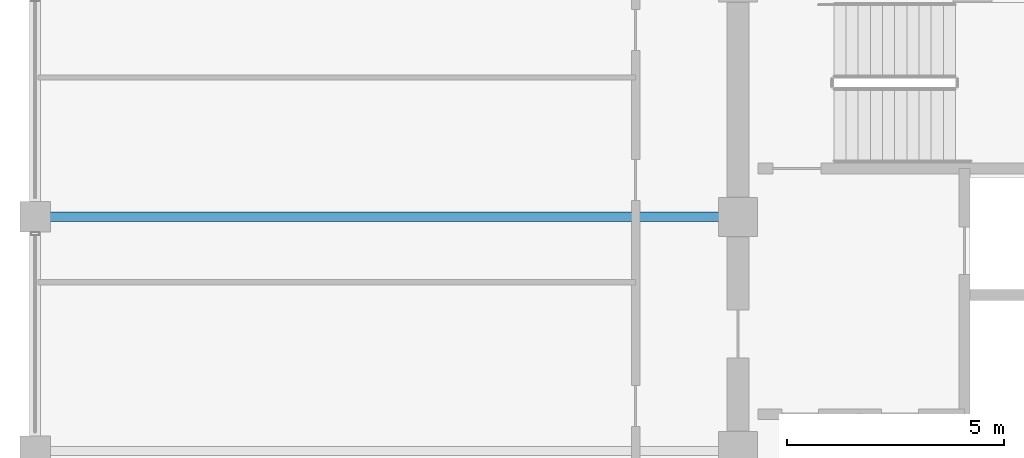
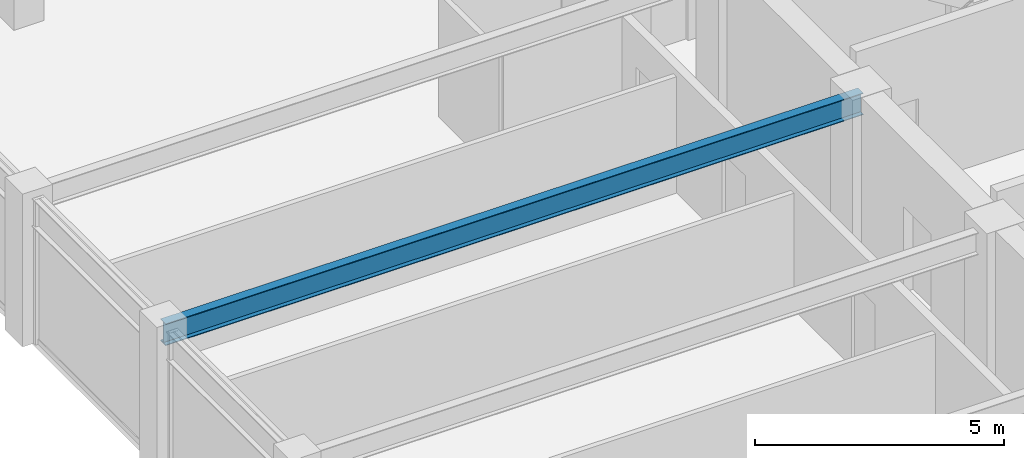
# One storey, part 11 of 31: 1 beam.
"""IFC4 building model written with IfcOpenShell, lengths in metres."""

from ifc_helpers import new_model, si_unit, direction, frame, origin, origin_2d, place, context, subcontext, project, spatial, i_section, extrude, material, material_profile, profile_set, type_object, element, save


model = new_model("IFC4")

# Units and contexts
model_context = context("Model", 3, precision=1e-05, world=origin(), true_north=direction((0.0, 1.0)))
body_context = subcontext(model_context, "Body", "Model", "MODEL_VIEW")
ifc_project = project(units=[si_unit("LENGTHUNIT", "METRE"), si_unit("AREAUNIT", "SQUARE_METRE"), si_unit("VOLUMEUNIT", "CUBIC_METRE"), si_unit("PLANEANGLEUNIT", "RADIAN"), si_unit("MASSUNIT", "GRAM", prefix="KILO")], contexts=[model_context])

# Site, building, storey
site_placement = place(None, origin())
site = spatial("IfcSite", under=ifc_project, at=site_placement, CompositionType="ELEMENT")
building_placement = place(site_placement, origin())
building = spatial("IfcBuilding", under=site, at=building_placement, Name="Surkhivell Harbour Commons", CompositionType="ELEMENT")
storey_placement = place(building_placement, frame((0.0, 0.0, 285.0)))
storey = spatial("IfcBuildingStorey", under=building, at=storey_placement, Name="L74", CompositionType="ELEMENT", Elevation=285.0)

# Beam
ifc_material = material(Name="Steel S355", Category="steel")
ifc_material_profile = material_profile(ifc_material, i_section(OverallWidth=0.2099609375, OverallDepth=0.537109375, WebThickness=0.0107421875, FlangeThickness=0.017333984375, at=origin_2d()), Name="UB533x210x101")
ifc_profile_set = profile_set([ifc_material_profile], Name="Steel S355")
beam_type = type_object("IfcBeamType", Name="BM-GRD-533B", PredefinedType="BEAM", material=ifc_profile_set)
beam_placement = place(storey_placement, frame((-27.0, 5.39990234375, 3.301513671875), z_axis=(1.0, 0.0, 0.0), x_axis=(0.0, 1.0, 0.0)))
element("IfcBeam", 1, at=beam_placement, inside=storey, type_object=beam_type, Name="L74 Floor Girder (-27.0,5.4)", PredefinedType="BEAM", context=body_context, shape_type="SweptSolid", body=[
    extrude(i_section(OverallWidth=0.2099609375, OverallDepth=0.537109375, WebThickness=0.0107421875, FlangeThickness=0.017333984375, at=origin_2d()), origin(), (0.0, 0.0, 1.0), 16.199951171875),
])

save(model, "model.ifc")
